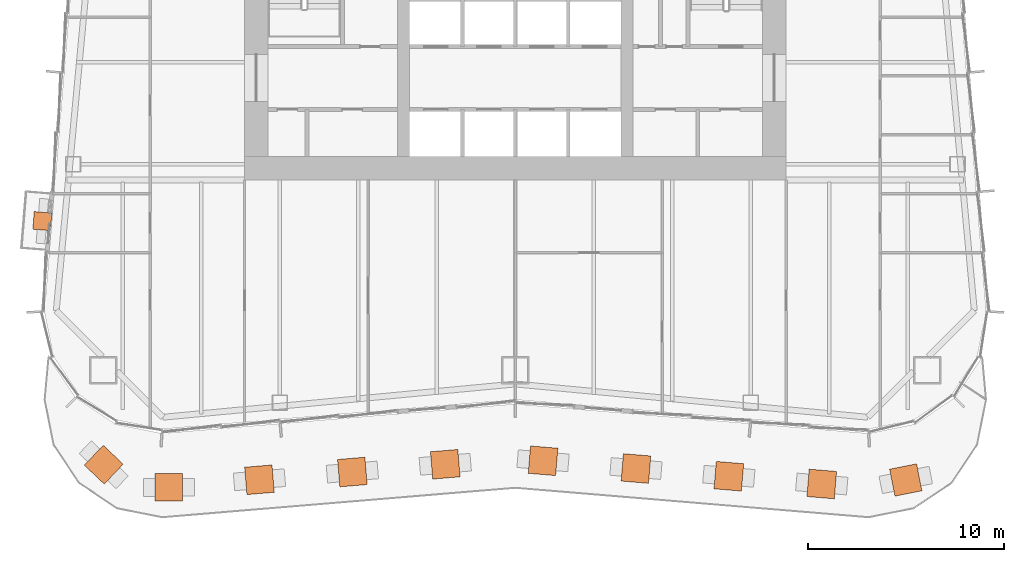
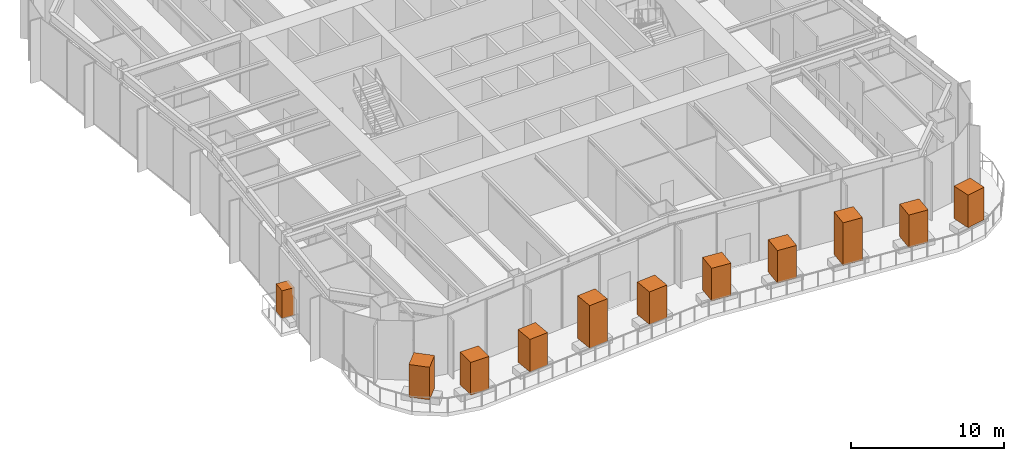
# One storey, part 15 of 15: 11 geographic elements.
"""IFC4 building model written with IfcOpenShell, lengths in metres."""

from ifc_helpers import new_model, si_unit, direction, frame, origin, origin_2d, place, context, subcontext, project, spatial, rectangle, extrude, material, type_object, element, save


model = new_model("IFC4")

# Units and contexts
model_context = context("Model", 3, precision=1e-05, world=origin(), true_north=direction((0.0, 1.0)))
body_context = subcontext(model_context, "Body", "Model", "MODEL_VIEW")
ifc_project = project(units=[si_unit("LENGTHUNIT", "METRE"), si_unit("AREAUNIT", "SQUARE_METRE"), si_unit("VOLUMEUNIT", "CUBIC_METRE"), si_unit("PLANEANGLEUNIT", "RADIAN"), si_unit("MASSUNIT", "GRAM", prefix="KILO")], contexts=[model_context])

# Site, building, storey
site_placement = place(None, origin())
site = spatial("IfcSite", under=ifc_project, at=site_placement, CompositionType="ELEMENT")
building_placement = place(site_placement, origin())
building = spatial("IfcBuilding", under=site, at=building_placement, Name="Verdant Reach Tower", CompositionType="ELEMENT")
storey_placement = place(building_placement, frame((0.0, 0.0, 65.0)))
storey = spatial("IfcBuildingStorey", under=building, at=storey_placement, Name="L14", CompositionType="ELEMENT", Elevation=65.0)

# Geographic elements
ifc_material = material(Name="Planting")
geographic_element_type_1 = type_object("IfcGeographicElementType", Name="EN-TREE", PredefinedType="USERDEFINED", material=ifc_material)
geographic_element_placement = place(storey_placement, frame((-24.1044921875, 15.101806640625, 0.39990234375), z_axis=(0.0, 0.0, 1.0), x_axis=(-0.081915556724, -0.996639273542, 0.0)))
element("IfcGeographicElement", 1, at=geographic_element_placement, inside=storey, type_object=geographic_element_type_1, Name="Balcony tree, Guabiroba (Campomanesia xanthocarpa), L14 1", ObjectType="TREE", PredefinedType="USERDEFINED", context=body_context, shape_type="SweptSolid", body=[
    extrude(rectangle(XDim=0.89990234375, YDim=0.89990234375, at=origin_2d()), origin(), (0.0, 0.0, 1.0), 2.199951171875),
])
for number, where, z_axis, x_axis, name in (
    (2, (19.90185546875, 1.90771484375, 0.5), (0.0, 0.0, 1.0), (-0.980787134599, -0.195081000112, 0.0), "Terrace tree, Guabiroba (Campomanesia xanthocarpa), L14 1"),
    (3, (15.619384765625, 1.70361328125, 0.5), (0.0, 0.0, 1.0), (-0.996545758244, 0.083045479859, 0.0), "Terrace tree, Surinam cherry (Eugenia uniflora), L14 2"),
    (4, (6.14990234375, 2.49267578125, 0.5), (0.0, 0.0, 1.0), (-0.996545758244, 0.083045479859, 0.0), "Terrace tree, Yellow trumpet tree (Handroanthus albus), L14 4"),
    (5, (1.4150390625, 2.88720703125, 0.5), (0.0, 0.0, 1.0), (-0.996545758244, 0.083045479859, 0.0), "Terrace tree, Guabiroba (Campomanesia xanthocarpa), L14 5"),
    (6, (-3.569091796875, 2.707763671875, 0.5), (0.0, 0.0, 1.0), (-0.996545758244, -0.083045479859, 0.0), "Terrace tree, Surinam cherry (Eugenia uniflora), L14 6"),
    (7, (-13.03857421875, 1.918701171875, 0.5), (0.0, 0.0, 1.0), (-0.996545758244, -0.083045479859, 0.0), "Terrace tree, Yellow trumpet tree (Handroanthus albus), L14 8"),
    (8, (-17.650146484375, 1.529296875, 0.5), (0.0, 0.0, 1.0), (-0.999999601991, -0.00089219818, 0.0), "Terrace tree, Guabiroba (Campomanesia xanthocarpa), L14 9"),
    (9, (-20.974853515625, 2.688232421875, 0.5), (0.0, 0.0, 1.0), (-0.725538725315, 0.688181340976, 0.0), "Terrace tree, Surinam cherry (Eugenia uniflora), L14 10"),
):
    element("IfcGeographicElement", number, at=place(storey_placement, frame(where, z_axis=z_axis, x_axis=x_axis)), inside=storey, type_object=geographic_element_type_1, Name=name, ObjectType="TREE", PredefinedType="USERDEFINED", context=body_context, shape_type="SweptSolid", body=[
        extrude(rectangle(XDim=1.39990234375, YDim=1.39990234375, at=origin_2d()), origin(), (0.0, 0.0, 1.0), 2.60009765625),
    ])
geographic_element_type_2 = type_object("IfcGeographicElementType", Name="EN-TREE LARGE", PredefinedType="USERDEFINED", material=ifc_material)
for number, where, z_axis, x_axis, name in (
    (10, (10.884521484375, 2.09814453125, 0.5), (0.0, 0.0, 1.0), (-0.996545758244, 0.083045479859, 0.0), "Terrace tree, Queen palm (Syagrus romanzoffiana), L14 3"),
    (11, (-8.3037109375, 2.313232421875, 0.5), (0.0, 0.0, 1.0), (-0.996545758244, -0.083045479859, 0.0), "Terrace tree, Queen palm (Syagrus romanzoffiana), L14 7"),
):
    element("IfcGeographicElement", number, at=place(storey_placement, frame(where, z_axis=z_axis, x_axis=x_axis)), inside=storey, type_object=geographic_element_type_2, Name=name, ObjectType="TREE", PredefinedType="USERDEFINED", context=body_context, shape_type="SweptSolid", body=[
        extrude(rectangle(XDim=1.39990234375, YDim=1.39990234375, at=origin_2d()), origin(), (0.0, 0.0, 1.0), 3.39990234375),
    ])

save(model, "model.ifc")
